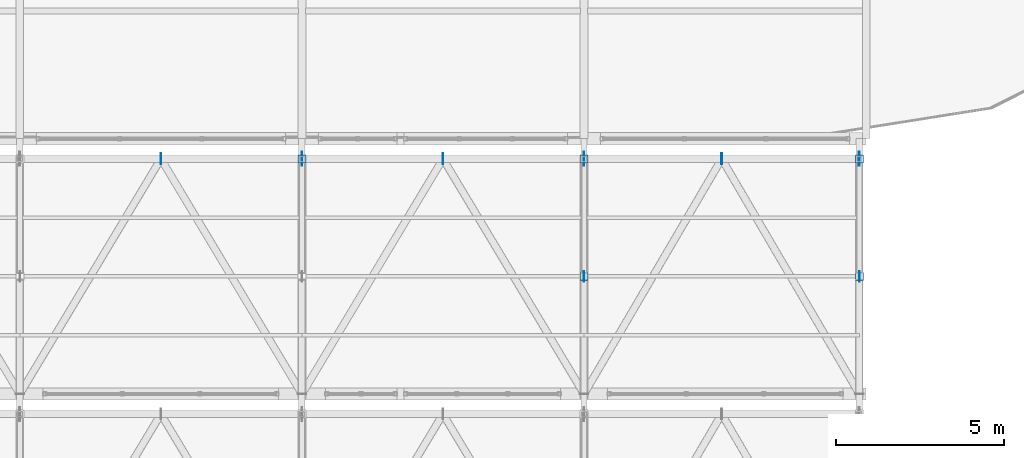
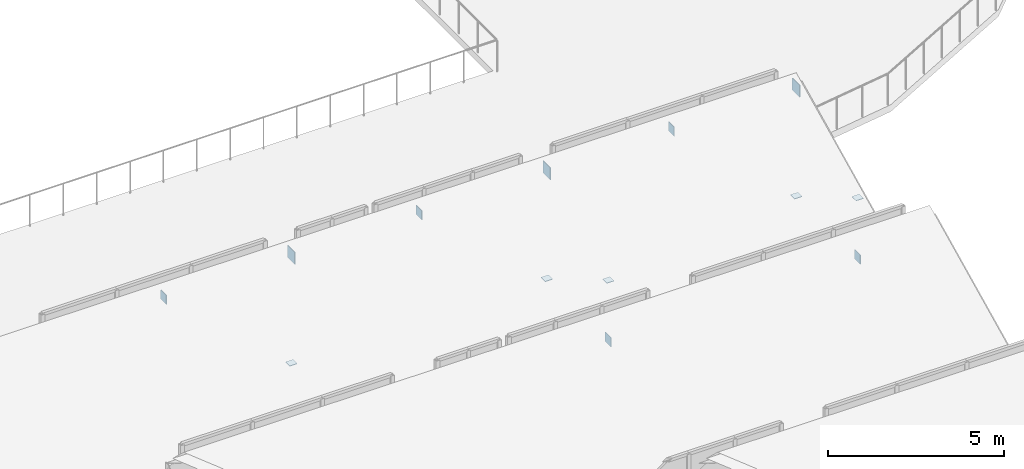
# One storey, part 49 of 57: 13 plates.
"""IFC4 building model written with IfcOpenShell, lengths in metres."""

from ifc_helpers import new_model, si_unit, direction, frame, origin, origin_2d, place, context, subcontext, project, spatial, rectangle, extrude, material, layer, layer_set, type_object, element, save


model = new_model("IFC4")

# Units and contexts
model_context = context("Model", 3, precision=1e-05, world=origin(), true_north=direction((0.0, 1.0)))
body_context = subcontext(model_context, "Body", "Model", "MODEL_VIEW")
ifc_project = project(units=[si_unit("LENGTHUNIT", "METRE"), si_unit("AREAUNIT", "SQUARE_METRE"), si_unit("VOLUMEUNIT", "CUBIC_METRE"), si_unit("PLANEANGLEUNIT", "RADIAN"), si_unit("MASSUNIT", "GRAM", prefix="KILO")], contexts=[model_context])

# Site, building, storey
site_placement = place(None, origin())
site = spatial("IfcSite", under=ifc_project, at=site_placement, CompositionType="ELEMENT")
building_placement = place(site_placement, origin())
building = spatial("IfcBuilding", under=site, at=building_placement, Name="Zuvorla Pavilion Media Centre", CompositionType="ELEMENT")
storey_placement = place(building_placement, frame((0.0, 0.0, 18.0)))
storey = spatial("IfcBuildingStorey", under=building, at=storey_placement, Name="L04", CompositionType="ELEMENT", Elevation=18.0)

# Plates
ifc_material = material(Name="Steel S355", Category="steel")
ifc_layer_1 = layer(ifc_material, 0.01611328125)
ifc_layer_set_1 = layer_set([ifc_layer_1], Name="Steel S355")
plate_type_1 = type_object("IfcPlateType", Name="PLT-CAP-16", PredefinedType="USERDEFINED", material=ifc_layer_set_1)
for number, where, z_axis, x_axis, name in (
    (1, (142.39990234375, 43.39990234375, -0.887939453125), (0.0, 0.0, 1.0), (1.0, 0.0, 0.0), "L04 cap plate CP16 493"),
    (2, (150.800048828125, 43.39990234375, -0.887939453125), (0.0, 0.0, 1.0), (1.0, 0.0, 0.0), "L04 cap plate CP16 496"),
    (3, (150.800048828125, 39.89990234375, 1.171875), (0.0, 0.0, 1.0), (1.0, 0.0, 0.0), "L04 cap plate CP16 498"),
    (4, (159.0, 43.39990234375, -0.887939453125), (0.0, 0.0, 1.0), (1.0, 0.0, 0.0), "L04 cap plate CP16 499"),
    (5, (159.0, 39.89990234375, 1.171875), (0.0, 0.0, 1.0), (1.0, 0.0, 0.0), "L04 cap plate CP16 501"),
):
    element("IfcPlate", number, at=place(storey_placement, frame(where, z_axis=z_axis, x_axis=x_axis)), inside=storey, type_object=plate_type_1, Name=name, ObjectType="CAP_PLATE", PredefinedType="USERDEFINED", context=body_context, shape_type="SweptSolid", body=[
        extrude(rectangle(XDim=0.239990234375, YDim=0.239990234375, at=origin_2d()), origin(), (0.0, 0.0, 1.0), 0.01611328125),
    ])
ifc_layer_2 = layer(ifc_material, 0.02001953125)
ifc_layer_set_2 = layer_set([ifc_layer_2], Name="Steel S355")
plate_type_2 = type_object("IfcPlateType", Name="PLT-GUS-20", PredefinedType="USERDEFINED", material=ifc_layer_set_2)
for number, where, z_axis, x_axis, name in (
    (6, (150.800048828125, 39.89990234375, -1.0400390625), (0.0, 0.0, 1.0), (1.0, 0.0, 0.0), "L04 gusset plate GP20 497"),
    (7, (159.0, 39.89990234375, -1.0400390625), (0.0, 0.0, 1.0), (1.0, 0.0, 0.0), "L04 gusset plate GP20 500"),
    (8, (138.199951171875, 43.39990234375, 2.7197265625), (0.0, 0.0, 1.0), (1.0, 0.0, 0.0), "L04 gusset plate GP20 504"),
    (9, (146.60009765625, 43.39990234375, 2.7197265625), (0.0, 0.0, 1.0), (1.0, 0.0, 0.0), "L04 gusset plate GP20 505"),
    (10, (154.89990234375, 43.39990234375, 2.7197265625), (0.0, 0.0, 1.0), (1.0, 0.0, 0.0), "L04 gusset plate GP20 506"),
):
    element("IfcPlate", number, at=place(storey_placement, frame(where, z_axis=z_axis, x_axis=x_axis)), inside=storey, type_object=plate_type_2, Name=name, ObjectType="GUSSET_PLATE", PredefinedType="USERDEFINED", context=body_context, shape_type="SweptSolid", body=[
        extrude(rectangle(XDim=0.02001953125, YDim=0.320068359375, at=origin_2d()), origin(), (0.0, 0.0, 1.0), 0.320068359375),
    ])
ifc_layer_3 = layer(ifc_material, 0.02490234375)
ifc_layer_set_3 = layer_set([ifc_layer_3], Name="Steel S355")
plate_type_3 = type_object("IfcPlateType", Name="PLT-GUS-25", PredefinedType="USERDEFINED", material=ifc_layer_set_3)
for number, where, z_axis, x_axis, name in (
    (11, (142.39990234375, 43.39990234375, 2.672119140625), (0.0, 0.0, 1.0), (1.0, 0.0, 0.0), "L04 gusset plate GP25 145"),
    (12, (150.800048828125, 43.39990234375, 2.672119140625), (0.0, 0.0, 1.0), (1.0, 0.0, 0.0), "L04 gusset plate GP25 147"),
    (13, (159.0, 43.39990234375, 2.672119140625), (0.0, 0.0, 1.0), (1.0, 0.0, 0.0), "L04 gusset plate GP25 149"),
):
    element("IfcPlate", number, at=place(storey_placement, frame(where, z_axis=z_axis, x_axis=x_axis)), inside=storey, type_object=plate_type_3, Name=name, ObjectType="GUSSET_PLATE", PredefinedType="USERDEFINED", context=body_context, shape_type="SweptSolid", body=[
        extrude(rectangle(XDim=0.02490234375, YDim=0.419921875, at=origin_2d()), origin(), (0.0, 0.0, 1.0), 0.419921875),
    ])

save(model, "model.ifc")
